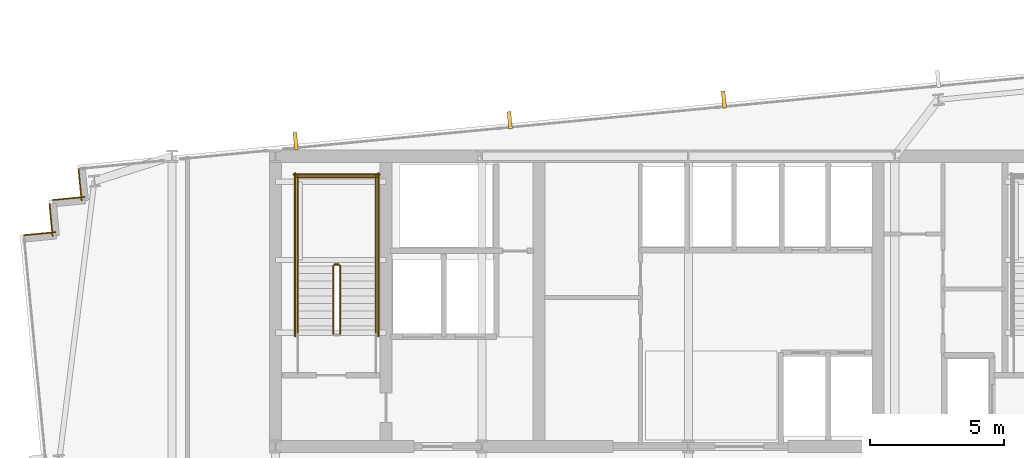
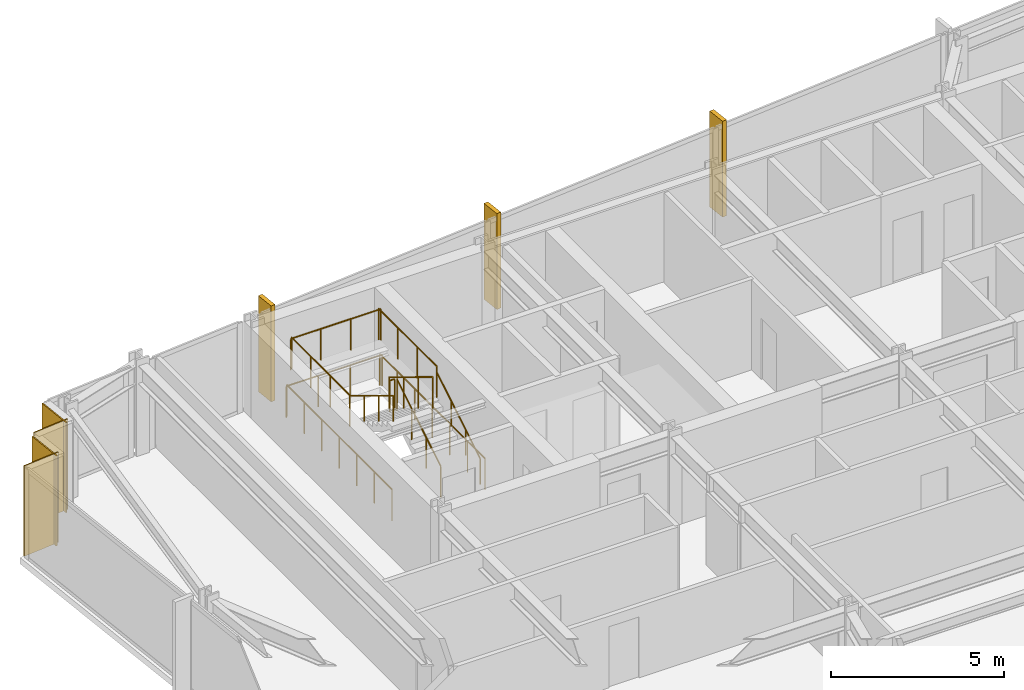
# One storey, part 31 of 32: 11 railings, 4 coverings, 3 shading devices.
"""IFC4 building model written with IfcOpenShell, lengths in metres."""

from ifc_helpers import new_model, si_unit, direction, frame, frame_2d, origin, origin_2d, place, context, subcontext, project, spatial, rectangle, circle, extrude, material, layer, layer_set, type_object, element, save


model = new_model("IFC4")

# Units and contexts
model_context = context("Model", 3, precision=1e-05, world=origin(), true_north=direction((0.0, 1.0)))
body_context = subcontext(model_context, "Body", "Model", "MODEL_VIEW")
ifc_project = project(units=[si_unit("LENGTHUNIT", "METRE"), si_unit("AREAUNIT", "SQUARE_METRE"), si_unit("VOLUMEUNIT", "CUBIC_METRE"), si_unit("PLANEANGLEUNIT", "RADIAN"), si_unit("MASSUNIT", "GRAM", prefix="KILO")], contexts=[model_context])

# Site, building, storey
site_placement = place(None, origin())
site = spatial("IfcSite", under=ifc_project, at=site_placement, CompositionType="ELEMENT")
building_placement = place(site_placement, origin())
building = spatial("IfcBuilding", under=site, at=building_placement, Name="Yelkora Congress Tower", CompositionType="ELEMENT")
storey_placement = place(building_placement, frame((0.0, 0.0, 113.5)))
storey = spatial("IfcBuildingStorey", under=building, at=storey_placement, Name="L30", CompositionType="ELEMENT", Elevation=113.5)

# Coverings
ifc_material_1 = material(Name="Anatolian bush-hammered limestone", Category="masonry")
ifc_layer_1 = layer(ifc_material_1, 0.0400390625)
ifc_layer_set_1 = layer_set([ifc_layer_1], Name="Anatolian bush-hammered limestone")
covering_type = type_object("IfcCoveringType", Name="COV-CLAD-SPANDREL-40", PredefinedType="CLADDING", material=ifc_layer_set_1)
for number, where, z_axis, x_axis, name in (
    (1, (13.677978515625, 43.260986328125, 0.0), (0.0, 0.0, 1.0), (0.995397091755, 0.095836473879, 0.0), "L30 Anatolian Limestone Cladding EW-L30-SR06"),
    (2, (14.7509765625, 43.228759765625, 0.0), (0.0, 0.0, 1.0), (-0.095836473879, 0.995397091755, 0.0), "L30 Anatolian Limestone Cladding EW-L30-SR07"),
):
    element("IfcCovering", number, at=place(storey_placement, frame(where, z_axis=z_axis, x_axis=x_axis)), inside=storey, type_object=covering_type, Name=name, PredefinedType="CLADDING", context=body_context, shape_type="SweptSolid", body=[
        extrude(rectangle(XDim=1.199951171875, YDim=0.0400390625, at=frame_2d((0.60009765625, 0.0))), origin(), (0.0, 0.0, 1.0), 3.179931640625),
    ])
for number, where, z_axis, x_axis, name in (
    (3, (14.75732421875, 44.570556640625, 0.0), (0.0, 0.0, 1.0), (0.995398960025, 0.095817067274, 0.0), "L30 Anatolian Limestone Cladding EW-L30-SR08"),
    (4, (15.830322265625, 44.5380859375, 0.0), (0.0, 0.0, 1.0), (-0.095817067274, 0.995398960025, 0.0), "L30 Anatolian Limestone Cladding EW-L30-SR09"),
):
    element("IfcCovering", number, at=place(storey_placement, frame(where, z_axis=z_axis, x_axis=x_axis)), inside=storey, type_object=covering_type, Name=name, PredefinedType="CLADDING", context=body_context, shape_type="SweptSolid", body=[
        extrude(rectangle(XDim=1.2001953125, YDim=0.0400390625, at=frame_2d((0.60009765625, 0.0))), origin(), (0.0, 0.0, 1.0), 3.179931640625),
    ])

# Railings
ifc_material_2 = material(Name="Painted galvanised steel stair well guard with vertical infill", Category="steel")
ifc_layer_2 = layer(ifc_material_2, 0.06005859375)
ifc_layer_set_2 = layer_set([ifc_layer_2], Name="Painted galvanised steel stair well guard with vertical infill")
railing_type_1 = type_object("IfcRailingType", Name="RAIL-STAIR-GUARD-1120", PredefinedType="GUARDRAIL", material=ifc_layer_set_2)
railing_1_placement = place(storey_placement, frame((25.449951171875, 39.60009765625, 0.169921875)))
element("IfcRailing", 5, at=railing_1_placement, inside=storey, type_object=railing_type_1, Name="ST-01 L30 Stair Well Guardrail 1", PredefinedType="GUARDRAIL", context=body_context, shape_type="SweptSolid", body=[
    extrude(circle(Radius=0.02392578125, at=origin_2d()), frame((0.0, 0.0, 1.09619140625), z_axis=(0.0, 0.85478489116, 0.518982456201), x_axis=(-1.0, 0.0, 0.0)), (0.0, 0.0, 1.0), 2.9482421875),
    extrude(circle(Radius=0.02099609375, at=origin_2d()), origin(), (0.0, 0.0, 1.0), 1.072021484375),
    extrude(circle(Radius=0.02099609375, at=origin_2d()), frame((0.0, 0.840087890625, 0.510009765625)), (0.0, 0.0, 1.0), 1.072021484375),
    extrude(circle(Radius=0.02099609375, at=origin_2d()), frame((0.0, 1.679931640625, 1.02001953125)), (0.0, 0.0, 1.0), 1.072021484375),
    extrude(circle(Radius=0.02099609375, at=origin_2d()), frame((0.0, 2.52001953125, 1.530029296875)), (0.0, 0.0, 1.0), 1.072021484375),
])
railing_2_placement = place(storey_placement, frame((25.39990234375, 42.169921875, 1.699951171875)))
element("IfcRailing", 6, at=railing_2_placement, inside=storey, type_object=railing_type_1, Name="ST-01 L30 Stair Well Guardrail 2", PredefinedType="GUARDRAIL", context=body_context, shape_type="SweptSolid", body=[
    extrude(circle(Radius=0.02392578125, at=origin_2d()), frame((0.0, 0.0, 1.09619140625), z_axis=(-1.0, 0.0, 0.0), x_axis=(0.0, -1.0, 0.0)), (0.0, 0.0, 1.0), 0.159912109375),
    extrude(circle(Radius=0.02099609375, at=origin_2d()), origin(), (0.0, 0.0, 1.0), 1.072021484375),
    extrude(circle(Radius=0.02099609375, at=origin_2d()), frame((-0.159912109375, 0.0, 0.0)), (0.0, 0.0, 1.0), 1.072021484375),
])
for number, where, name in (
    (7, (26.77001953125, 42.1201171875, 1.699951171875), "ST-01 L30 Stair Well Guardrail 3"),
    (8, (23.8701171875, 42.1201171875, 1.699951171875), "ST-01 L30 Stair Well Guardrail 4"),
):
    element("IfcRailing", number, at=place(storey_placement, frame(where)), inside=storey, type_object=railing_type_1, Name=name, PredefinedType="GUARDRAIL", context=body_context, shape_type="SweptSolid", body=[
        extrude(circle(Radius=0.02392578125, at=origin_2d()), frame((0.0, 0.0, 1.09619140625), z_axis=(0.0, 1.0, 0.0), x_axis=(-1.0, 0.0, 0.0)), (0.0, 0.0, 1.0), 3.349853515625),
        extrude(circle(Radius=0.02099609375, at=origin_2d()), origin(), (0.0, 0.0, 1.0), 1.072021484375),
        extrude(circle(Radius=0.02099609375, at=origin_2d()), frame((0.0, 1.11669921875, 0.0)), (0.0, 0.0, 1.0), 1.072021484375),
        extrude(circle(Radius=0.02099609375, at=origin_2d()), frame((0.0, 2.233154296875, 0.0)), (0.0, 0.0, 1.0), 1.072021484375),
        extrude(circle(Radius=0.02099609375, at=origin_2d()), frame((0.0, 3.349853515625, 0.0)), (0.0, 0.0, 1.0), 1.072021484375),
    ])
railing_3_placement = place(storey_placement, frame((26.820068359375, 45.419921875, 1.699951171875)))
element("IfcRailing", 9, at=railing_3_placement, inside=storey, type_object=railing_type_1, Name="ST-01 L30 Stair Well Guardrail 5", PredefinedType="GUARDRAIL", context=body_context, shape_type="SweptSolid", body=[
    extrude(circle(Radius=0.02392578125, at=origin_2d()), frame((0.0, 0.0, 1.09619140625), z_axis=(-1.0, 0.0, 0.0), x_axis=(0.0, -1.0, 0.0)), (0.0, 0.0, 1.0), 3.0),
    extrude(circle(Radius=0.02099609375, at=origin_2d()), origin(), (0.0, 0.0, 1.0), 1.072021484375),
    extrude(circle(Radius=0.02099609375, at=origin_2d()), frame((-1.0, 0.0, 0.0)), (0.0, 0.0, 1.0), 1.072021484375),
    extrude(circle(Radius=0.02099609375, at=origin_2d()), frame((-2.0, 0.0, 0.0)), (0.0, 0.0, 1.0), 1.072021484375),
    extrude(circle(Radius=0.02099609375, at=origin_2d()), frame((-3.0, 0.0, 0.0)), (0.0, 0.0, 1.0), 1.072021484375),
])
railing_4_placement = place(storey_placement, frame((25.18994140625, 42.1201171875, 1.8701171875)))
element("IfcRailing", 10, at=railing_4_placement, inside=storey, type_object=railing_type_1, Name="ST-01 L30 Stair Well Guardrail 6", PredefinedType="GUARDRAIL", context=body_context, shape_type="SweptSolid", body=[
    extrude(circle(Radius=0.02392578125, at=origin_2d()), frame((0.0, 0.0, 1.09619140625), z_axis=(0.0, -0.854821627497, 0.518921945155), x_axis=(1.0, 0.0, 0.0)), (0.0, 0.0, 1.0), 2.947998046875),
    extrude(circle(Radius=0.02099609375, at=origin_2d()), origin(), (0.0, 0.0, 1.0), 1.072021484375),
    extrude(circle(Radius=0.02099609375, at=origin_2d()), frame((0.0, -0.840087890625, 0.510009765625)), (0.0, 0.0, 1.0), 1.072021484375),
    extrude(circle(Radius=0.02099609375, at=origin_2d()), frame((0.0, -1.679931640625, 1.019775390625)), (0.0, 0.0, 1.0), 1.072021484375),
    extrude(circle(Radius=0.02099609375, at=origin_2d()), frame((0.0, -2.52001953125, 1.52978515625)), (0.0, 0.0, 1.0), 1.072021484375),
])
for number, where, name in (
    (11, (26.8701171875, 39.5, 0.0), "ST-01 L30 Stair Well Guardrail 10"),
    (12, (23.77001953125, 39.5, 0.0), "ST-01 L30 Stair Well Guardrail 11"),
):
    element("IfcRailing", number, at=place(storey_placement, frame(where)), inside=storey, type_object=railing_type_1, Name=name, PredefinedType="GUARDRAIL", context=body_context, shape_type="SweptSolid", body=[
        extrude(circle(Radius=0.02392578125, at=origin_2d()), frame((0.0, 0.0, 1.09619140625), z_axis=(0.0, 1.0, 0.0), x_axis=(-1.0, 0.0, 0.0)), (0.0, 0.0, 1.0), 6.070068359375),
        extrude(circle(Radius=0.02099609375, at=origin_2d()), origin(), (0.0, 0.0, 1.0), 1.072021484375),
        extrude(circle(Radius=0.02099609375, at=origin_2d()), frame((0.0, 1.01171875, 0.0)), (0.0, 0.0, 1.0), 1.072021484375),
        extrude(circle(Radius=0.02099609375, at=origin_2d()), frame((0.0, 2.0234375, 0.0)), (0.0, 0.0, 1.0), 1.072021484375),
        extrude(circle(Radius=0.02099609375, at=origin_2d()), frame((0.0, 3.03515625, 0.0)), (0.0, 0.0, 1.0), 1.072021484375),
        extrude(circle(Radius=0.02099609375, at=origin_2d()), frame((0.0, 4.046630859375, 0.0)), (0.0, 0.0, 1.0), 1.072021484375),
        extrude(circle(Radius=0.02099609375, at=origin_2d()), frame((0.0, 5.058349609375, 0.0)), (0.0, 0.0, 1.0), 1.072021484375),
        extrude(circle(Radius=0.02099609375, at=origin_2d()), frame((0.0, 6.070068359375, 0.0)), (0.0, 0.0, 1.0), 1.072021484375),
    ])
railing_5_placement = place(storey_placement, frame((26.919921875, 45.52001953125, 0.0)))
element("IfcRailing", 13, at=railing_5_placement, inside=storey, type_object=railing_type_1, Name="ST-01 L30 Stair Well Guardrail 12", PredefinedType="GUARDRAIL", context=body_context, shape_type="SweptSolid", body=[
    extrude(circle(Radius=0.02392578125, at=origin_2d()), frame((0.0, 0.0, 1.09619140625), z_axis=(-1.0, 0.0, 0.0), x_axis=(0.0, -1.0, 0.0)), (0.0, 0.0, 1.0), 3.199951171875),
    extrude(circle(Radius=0.02099609375, at=origin_2d()), origin(), (0.0, 0.0, 1.0), 1.072021484375),
    extrude(circle(Radius=0.02099609375, at=origin_2d()), frame((-1.066650390625, 0.0, 0.0)), (0.0, 0.0, 1.0), 1.072021484375),
    extrude(circle(Radius=0.02099609375, at=origin_2d()), frame((-2.13330078125, 0.0, 0.0)), (0.0, 0.0, 1.0), 1.072021484375),
    extrude(circle(Radius=0.02099609375, at=origin_2d()), frame((-3.199951171875, 0.0, 0.0)), (0.0, 0.0, 1.0), 1.072021484375),
])
ifc_material_3 = material(Name="Brushed stainless steel tubular handrail", Category="steel")
ifc_layer_3 = layer(ifc_material_3, 0.050048828125)
ifc_layer_set_3 = layer_set([ifc_layer_3], Name="Brushed stainless steel tubular handrail")
railing_type_2 = type_object("IfcRailingType", Name="RAIL-STAIR-HAND-920", PredefinedType="HANDRAIL", material=ifc_layer_set_3)
railing_6_placement = place(storey_placement, frame((26.77001953125, 39.60009765625, 0.169921875)))
element("IfcRailing", 14, at=railing_6_placement, inside=storey, type_object=railing_type_2, Name="ST-01 L30 Pitch Handrail 1", PredefinedType="HANDRAIL", context=body_context, shape_type="SweptSolid", body=[
    extrude(circle(Radius=0.02392578125, at=origin_2d()), frame((0.0, 0.0, 0.89599609375), z_axis=(0.0, 0.85478489116, 0.518982456201), x_axis=(-1.0, 0.0, 0.0)), (0.0, 0.0, 1.0), 2.9482421875),
    extrude(circle(Radius=0.02099609375, at=origin_2d()), origin(), (0.0, 0.0, 1.0), 0.871826171875),
    extrude(circle(Radius=0.02099609375, at=origin_2d()), frame((0.0, 0.840087890625, 0.510009765625)), (0.0, 0.0, 1.0), 0.871826171875),
    extrude(circle(Radius=0.02099609375, at=origin_2d()), frame((0.0, 1.679931640625, 1.02001953125)), (0.0, 0.0, 1.0), 0.871826171875),
    extrude(circle(Radius=0.02099609375, at=origin_2d()), frame((0.0, 2.52001953125, 1.530029296875)), (0.0, 0.0, 1.0), 0.871826171875),
])
railing_7_placement = place(storey_placement, frame((23.8701171875, 42.1201171875, 1.8701171875)))
element("IfcRailing", 15, at=railing_7_placement, inside=storey, type_object=railing_type_2, Name="ST-01 L30 Pitch Handrail 2", PredefinedType="HANDRAIL", context=body_context, shape_type="SweptSolid", body=[
    extrude(circle(Radius=0.02392578125, at=origin_2d()), frame((0.0, 0.0, 0.89599609375), z_axis=(0.0, -0.854821627497, 0.518921945155), x_axis=(1.0, 0.0, 0.0)), (0.0, 0.0, 1.0), 2.947998046875),
    extrude(circle(Radius=0.02099609375, at=origin_2d()), origin(), (0.0, 0.0, 1.0), 0.871826171875),
    extrude(circle(Radius=0.02099609375, at=origin_2d()), frame((0.0, -0.840087890625, 0.510009765625)), (0.0, 0.0, 1.0), 0.871826171875),
    extrude(circle(Radius=0.02099609375, at=origin_2d()), frame((0.0, -1.679931640625, 1.019775390625)), (0.0, 0.0, 1.0), 0.871826171875),
    extrude(circle(Radius=0.02099609375, at=origin_2d()), frame((0.0, -2.52001953125, 1.52978515625)), (0.0, 0.0, 1.0), 0.871826171875),
])

# Shading devices
ifc_material_4 = material(Name="Champagne anodised aluminium", Category="aluminium")
ifc_layer_4 = layer(ifc_material_4, 3.39990234375)
ifc_layer_set_4 = layer_set([ifc_layer_4], Name="Champagne anodised aluminium")
shading_device_type = type_object("IfcShadingDeviceType", Name="SHD-FIN-ALU-640", PredefinedType="USERDEFINED", material=ifc_layer_set_4)
for number, where, z_axis, x_axis, name in (
    (16, (23.791015625, 46.771484375, -0.030029296875), (0.0, 0.0, 1.0), (0.995396198367, 0.09584575252, 0.0), "L30 Vertical Anodised Solar Fin 10-1"),
    (17, (31.7568359375, 47.53857421875, -0.030029296875), (0.0, 0.0, 1.0), (0.995396198367, 0.09584575252, 0.0), "L30 Vertical Anodised Solar Fin 10-2"),
    (18, (39.722900390625, 48.3056640625, -0.030029296875), (0.0, 0.0, 1.0), (0.995396198367, 0.09584575252, 0.0), "L30 Vertical Anodised Solar Fin 10-3"),
):
    element("IfcShadingDevice", number, at=place(storey_placement, frame(where, z_axis=z_axis, x_axis=x_axis)), inside=storey, type_object=shading_device_type, Name=name, ObjectType="FIN", PredefinedType="USERDEFINED", context=body_context, shape_type="SweptSolid", body=[
        extrude(rectangle(XDim=0.139892578125, YDim=0.639892578125, at=origin_2d()), origin(), (0.0, 0.0, 1.0), 3.3798828125),
    ])

save(model, "model.ifc")
